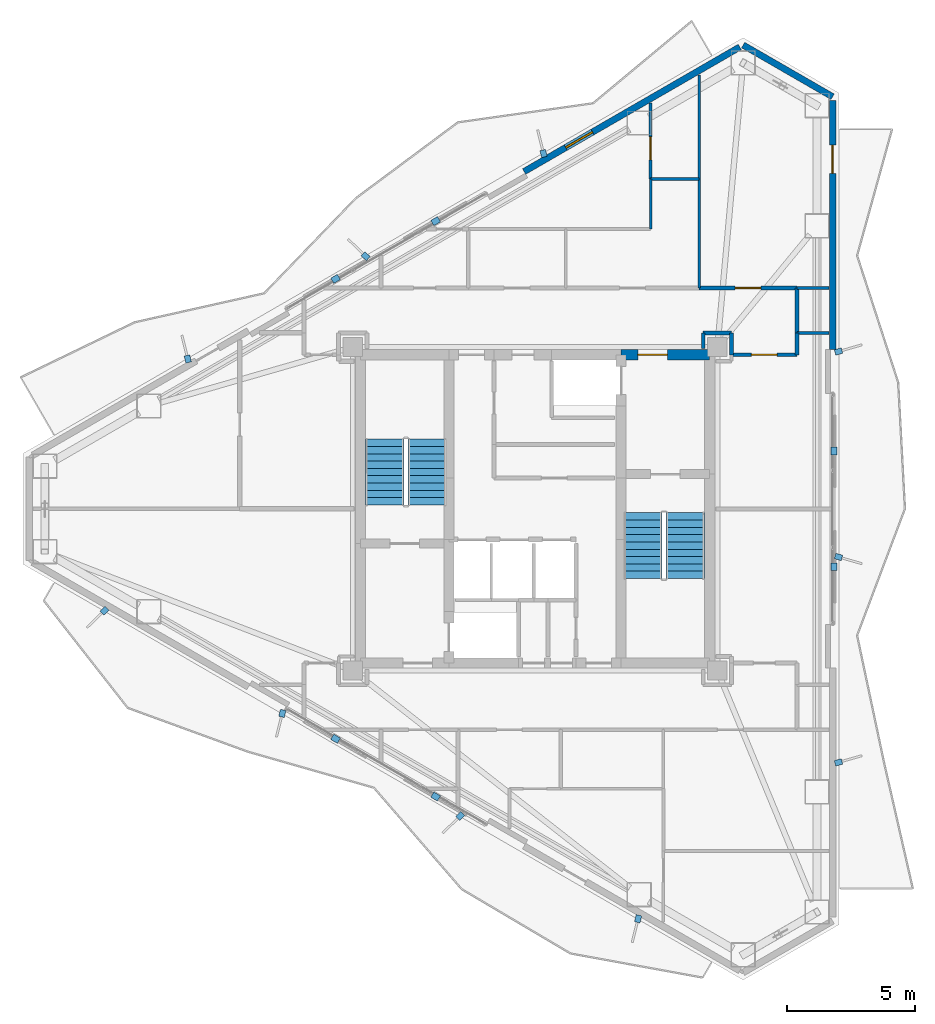
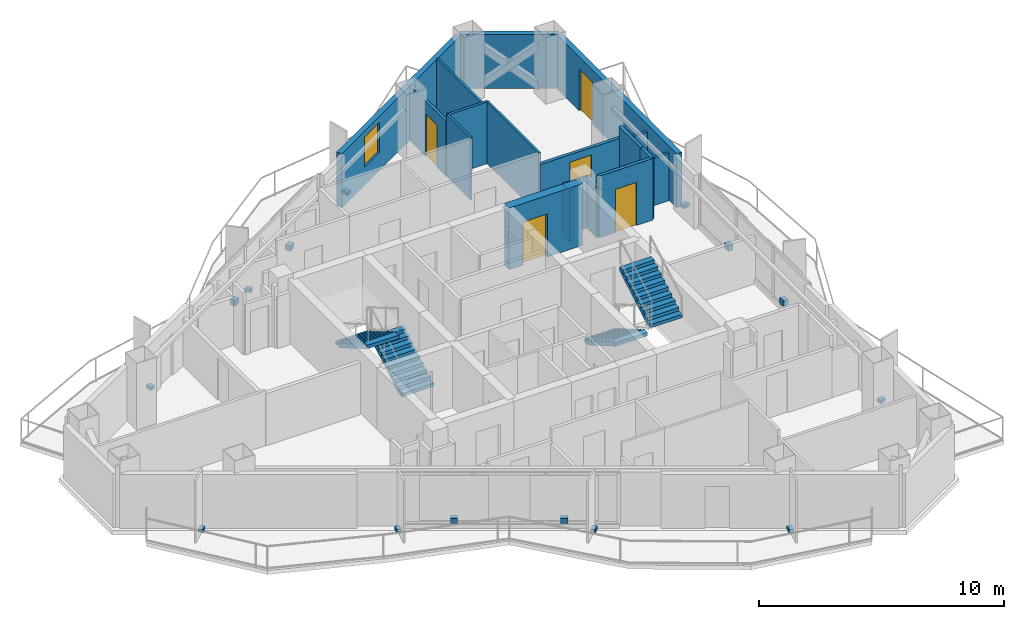
# One storey, part 19 of 21: 18 walls, 16 discrete accessories, 5 doors, 4 stair flights, 1 window, 6 openings, 2 elements without a shape of their own.
"""IFC4 building model written with IfcOpenShell, lengths in metres."""

from ifc_helpers import new_model, si_unit, direction, frame, frame_2d, origin, origin_2d, place, context, subcontext, project, spatial, polyline, rectangle, outline, extrude, material, layer, layer_set, type_object, element, fill, aggregate, save


model = new_model("IFC4")

# Units and contexts
model_context = context("Model", 3, precision=1e-05, world=origin(), true_north=direction((0.0, 1.0)))
body_context = subcontext(model_context, "Body", "Model", "MODEL_VIEW")
ifc_project = project(units=[si_unit("LENGTHUNIT", "METRE"), si_unit("AREAUNIT", "SQUARE_METRE"), si_unit("VOLUMEUNIT", "CUBIC_METRE"), si_unit("PLANEANGLEUNIT", "RADIAN"), si_unit("MASSUNIT", "GRAM", prefix="KILO")], contexts=[model_context])

# Site, building, storey
site_placement = place(None, origin())
site = spatial("IfcSite", under=ifc_project, at=site_placement, CompositionType="ELEMENT")
building_placement = place(site_placement, origin())
building = spatial("IfcBuilding", under=site, at=building_placement, Name="Mersakhor Tower and Convention Hall", CompositionType="ELEMENT")
storey_placement = place(building_placement, frame((0.0, 0.0, 178.800048828125)))
storey = spatial("IfcBuildingStorey", under=building, at=storey_placement, Name="L49", CompositionType="ELEMENT", Elevation=178.800048828125)

# Wall
ifc_material_1 = material(Name="Precast concrete C40/50", Category="concrete")
ifc_layer_1 = layer(ifc_material_1, 0.25)
ifc_layer_set_1 = layer_set([ifc_layer_1], Name="Precast concrete C40/50")
wall_type_1 = type_object("IfcWallType", Name="WL-EXT-250", PredefinedType="SOLIDWALL", material=ifc_layer_set_1)
wall_1_placement = place(storey_placement, frame((37.10400390625, 44.81005859375, 0.0), z_axis=(0.0, 0.0, 1.0), x_axis=(0.866023907196, -0.500002592159, 0.0)))
element("IfcWall", 1, at=wall_1_placement, inside=storey, type_object=wall_type_1, Name="L49 Chamfer Braced Spandrel Wall C1", PredefinedType="SOLIDWALL", context=body_context, shape_type="SweptSolid", body=[
    extrude(rectangle(XDim=4.0234375, YDim=0.25, at=frame_2d((2.01171875, 0.0))), origin(), (0.0, 0.0, 1.0), 2.68994140625),
])

# Wall, opening, window
wall_2_placement = place(storey_placement, frame((28.57470703125, 39.885498046875, 0.0), z_axis=(0.0, 0.0, 1.0), x_axis=(0.866016233231, 0.500015883528, 0.0)))
wall_2 = element("IfcWall", 2, at=wall_2_placement, inside=storey, type_object=wall_type_1, Name="L49 Exterior Facade Wall F1-B3", PredefinedType="SOLIDWALL", context=body_context, shape_type="SweptSolid", body=[
    extrude(rectangle(XDim=9.698974609375, YDim=0.25, at=frame_2d((4.849609375, 0.0))), origin(), (0.0, 0.0, 1.0), 2.68994140625),
])
opening_1_placement = place(wall_2_placement, frame((1.8701171875, 0.0, 0.89990234375)))
opening_1 = element("IfcOpeningElement", 3, at=opening_1_placement, cuts=wall_2, Name="Opening W-01", PredefinedType="OPENING", context=body_context, shape_type="SweptSolid", body=[
    extrude(rectangle(XDim=1.199951171875, YDim=1.5, at=frame_2d((0.60009765625, 0.75))), frame((0.0, 0.135009765625, 0.0), z_axis=(0.0, -1.0, 0.0), x_axis=(1.0, 0.0, 0.0)), (0.0, 0.0, 1.0), 0.27001953125),
])
ifc_material_2 = material(Name="Dark solar low-E glazed aluminium window", Category="aluminium")
window_type = type_object("IfcWindowType", Name="WN-RES-120x150", PartitioningType="SINGLE_PANEL", PredefinedType="WINDOW", material=ifc_material_2)
window_placement = place(opening_1_placement, origin())
window = element("IfcWindow", 4, at=window_placement, inside=storey, type_object=window_type, Name="L49 Facade Punched Window F1-B3", OverallHeight=1.5, OverallWidth=1.199951171875, PartitioningType="SINGLE_PANEL", PredefinedType="WINDOW", context=body_context, shape_type="SweptSolid", body=[
    extrude(rectangle(XDim=1.199951171875, YDim=1.5, at=frame_2d((0.60009765625, 0.75))), frame((0.0, 0.030029296875, 0.0), z_axis=(0.0, -1.0, 0.0), x_axis=(1.0, 0.0, 0.0)), (0.0, 0.0, 1.0), 0.06005859375),
])
fill(opening_1, window)

# Wall, opening, door
wall_3_placement = place(storey_placement, frame((40.58837890625, 42.6484375, 0.0), z_axis=(0.0, 0.0, 1.0), x_axis=(0.0, -1.0, 0.0)))
wall_3 = element("IfcWall", 5, at=wall_3_placement, inside=storey, type_object=wall_type_1, Name="L49 Exterior Facade Wall F2-B1", PredefinedType="SOLIDWALL", context=body_context, shape_type="SweptSolid", body=[
    extrude(rectangle(XDim=9.698974609375, YDim=0.25, at=frame_2d((4.849609375, 0.0))), origin(), (0.0, 0.0, 1.0), 2.68994140625),
])
opening_2_placement = place(wall_3_placement, frame((1.72998046875, 0.0, 0.0)))
opening_2 = element("IfcOpeningElement", 6, at=opening_2_placement, cuts=wall_3, Name="Opening BD-02", PredefinedType="OPENING", context=body_context, shape_type="SweptSolid", body=[
    extrude(rectangle(XDim=1.10009765625, YDim=2.10009765625, at=frame_2d((0.550048828125, 1.050048828125))), frame((0.0, 0.135009765625, 0.0), z_axis=(0.0, -1.0, 0.0), x_axis=(1.0, 0.0, 0.0)), (0.0, 0.0, 1.0), 0.27001953125),
])
ifc_material_3 = material(Name="Thermally broken dark aluminium and safety glass", Category="aluminium")
door_type_1 = type_object("IfcDoorType", Name="DR-BAL-110x210", OperationType="NOTDEFINED", PredefinedType="DOOR", material=ifc_material_3)
door_1_placement = place(opening_2_placement, origin())
door_1 = element("IfcDoor", 7, at=door_1_placement, inside=storey, type_object=door_type_1, Name="L49 Balcony Terrace Door F2-B1", OperationType="SINGLE_SWING_RIGHT", OverallHeight=2.10009765625, OverallWidth=1.10009765625, PredefinedType="DOOR", context=body_context, shape_type="SweptSolid", body=[
    extrude(rectangle(XDim=1.10009765625, YDim=2.10009765625, at=frame_2d((0.550048828125, 1.050048828125))), frame((0.0, 0.02490234375, 0.0), z_axis=(0.0, -1.0, 0.0), x_axis=(1.0, 0.0, 0.0)), (0.0, 0.0, 1.0), 0.050048828125),
])
fill(opening_2, door_1)

# Walls
ifc_material_4 = material(Name="Lightweight gypsum partition", Category="other")
ifc_layer_2 = layer(ifc_material_4, 0.10009765625)
ifc_layer_set_2 = layer_set([ifc_layer_2], Name="Lightweight gypsum partition")
wall_type_2 = type_object("IfcWallType", Name="WL-PRT-100", PredefinedType="PARTITIONING", material=ifc_layer_set_2)
wall_4_placement = place(storey_placement, frame((33.5, 39.590087890625, 0.0), z_axis=(0.0, 0.0, 1.0), x_axis=(0.0, -1.0, 0.0)))
element("IfcWall", 8, at=wall_4_placement, inside=storey, type_object=wall_type_2, Name="L49 Interior Partition Wall P-076", PredefinedType="PARTITIONING", context=body_context, shape_type="SweptSolid", body=[
    extrude(rectangle(XDim=1.940185546875, YDim=0.10009765625, at=frame_2d((0.97021484375, 0.0))), origin(), (0.0, 0.0, 1.0), 3.070068359375),
])
wall_5_placement = place(storey_placement, frame((35.389892578125, 39.590087890625, 0.0), z_axis=(0.0, 0.0, 1.0), x_axis=(0.0, -1.0, 0.0)))
element("IfcWall", 9, at=wall_5_placement, inside=storey, type_object=wall_type_2, Name="L49 Interior Partition Wall P-078", PredefinedType="PARTITIONING", context=body_context, shape_type="SweptSolid", body=[
    extrude(rectangle(XDim=4.239990234375, YDim=0.10009765625, at=frame_2d((2.1201171875, 0.0))), origin(), (0.0, 0.0, 1.0), 3.070068359375),
])
wall_6_placement = place(storey_placement, frame((35.389892578125, 43.648193359375, 0.0), z_axis=(0.0, 0.0, 1.0), x_axis=(0.0, -1.0, 0.0)))
element("IfcWall", 10, at=wall_6_placement, inside=storey, type_object=wall_type_2, Name="L49 Interior Partition Wall P-080", PredefinedType="PARTITIONING", context=body_context, shape_type="SweptSolid", body=[
    extrude(rectangle(XDim=4.05810546875, YDim=0.10009765625, at=frame_2d((2.029052734375, 0.0))), origin(), (0.0, 0.0, 1.0), 2.734375),
])
ifc_material_5 = material(Name="Gypsum board acoustic partition", Category="other")
ifc_layer_3 = layer(ifc_material_5, 0.125)
ifc_layer_set_3 = layer_set([ifc_layer_3], Name="Gypsum board acoustic partition")
wall_type_3 = type_object("IfcWallType", Name="WL-PRT-125", PredefinedType="PARTITIONING", material=ifc_layer_set_3)
wall_7_placement = place(storey_placement, frame((39.199951171875, 33.60009765625, 0.0), z_axis=(0.0, 0.0, 1.0), x_axis=(1.0, 0.0, 0.0)))
element("IfcWall", 11, at=wall_7_placement, inside=storey, type_object=wall_type_3, Name="L49 Interior Partition Wall P-065", PredefinedType="PARTITIONING", context=body_context, shape_type="SweptSolid", body=[
    extrude(rectangle(XDim=1.239501953125, YDim=0.125, at=frame_2d((0.61962890625, 0.0))), origin(), (0.0, 0.0, 1.0), 2.364990234375),
])

# Wall, opening, door
wall_8_placement = place(storey_placement, frame((33.5, 42.55712890625, 0.0), z_axis=(0.0, 0.0, 1.0), x_axis=(0.0, -1.0, 0.0)))
wall_8 = element("IfcWall", 12, at=wall_8_placement, inside=storey, type_object=wall_type_3, Name="L49 Interior Partition Wall P-075", PredefinedType="PARTITIONING", context=body_context, shape_type="SweptSolid", body=[
    extrude(rectangle(XDim=2.967041015625, YDim=0.125, at=frame_2d((1.4833984375, 0.0))), origin(), (0.0, 0.0, 1.0), 2.734375),
])
opening_3_placement = place(wall_8_placement, frame((1.319580078125, 0.0, 0.0)))
opening_3 = element("IfcOpeningElement", 13, at=opening_3_placement, cuts=wall_8, Name="Opening WD-01", PredefinedType="OPENING", context=body_context, shape_type="SweptSolid", body=[
    extrude(rectangle(XDim=0.89990234375, YDim=2.10009765625, at=frame_2d((0.449951171875, 1.050048828125))), frame((0.0, 0.072509765625, 0.0), z_axis=(0.0, -1.0, 0.0), x_axis=(1.0, 0.0, 0.0)), (0.0, 0.0, 1.0), 0.14501953125),
])
ifc_material_6 = material(Name="Solid-core hardwood leaf in painted steel frame", Category="steel")
door_type_2 = type_object("IfcDoorType", Name="DR-INT-WET-090x210", OperationType="NOTDEFINED", PredefinedType="DOOR", material=ifc_material_6)
door_2_placement = place(opening_3_placement, origin())
door_2 = element("IfcDoor", 14, at=door_2_placement, inside=storey, type_object=door_type_2, Name="L49 L49 Floor Residents Study Room 1-3 to L49 Floor Residents Study Room 1-5 Door", OperationType="SINGLE_SWING_LEFT", OverallHeight=2.10009765625, OverallWidth=0.89990234375, PredefinedType="DOOR", context=body_context, shape_type="SweptSolid", body=[
    extrude(rectangle(XDim=0.89990234375, YDim=2.10009765625, at=frame_2d((0.449951171875, 1.050048828125))), frame((0.0, 0.02490234375, 0.0), z_axis=(0.0, -1.0, 0.0), x_axis=(1.0, 0.0, 0.0)), (0.0, 0.0, 1.0), 0.050048828125),
])
fill(opening_3, door_2)

# Walls
wall_9_placement = place(storey_placement, frame((33.5, 39.590087890625, 0.0), z_axis=(0.0, 0.0, 1.0), x_axis=(1.0, 0.0, 0.0)))
element("IfcWall", 15, at=wall_9_placement, inside=storey, type_object=wall_type_3, Name="L49 Interior Partition Wall P-079", PredefinedType="PARTITIONING", context=body_context, shape_type="SweptSolid", body=[
    extrude(rectangle(XDim=1.889892578125, YDim=0.125, at=frame_2d((0.94482421875, 0.0))), origin(), (0.0, 0.0, 1.0), 3.070068359375),
])
wall_10_placement = place(storey_placement, frame((40.439453125, 35.35009765625, 0.0), z_axis=(0.0, 0.0, 1.0), x_axis=(-1.0, 0.0, 0.0)))
element("IfcWall", 16, at=wall_10_placement, inside=storey, type_object=wall_type_3, Name="L49 Interior Partition Wall P-081", PredefinedType="PARTITIONING", context=body_context, shape_type="SweptSolid", body=[
    extrude(rectangle(XDim=1.239501953125, YDim=0.125, at=frame_2d((0.61962890625, 0.0))), origin(), (0.0, 0.0, 1.0), 2.364990234375),
])
ifc_material_7 = material(Name="Fire-rated gypsum board stud partition", Category="other")
ifc_layer_4 = layer(ifc_material_7, 0.14990234375)
ifc_layer_set_4 = layer_set([ifc_layer_4], Name="Fire-rated gypsum board stud partition")
wall_type_4 = type_object("IfcWallType", Name="WL-PRT-150", PredefinedType="PARTITIONING", material=ifc_layer_set_4)
wall_11_placement = place(storey_placement, frame((39.199951171875, 35.35009765625, 0.0), z_axis=(0.0, 0.0, 1.0), x_axis=(0.0, -1.0, 0.0)))
element("IfcWall", 17, at=wall_11_placement, inside=storey, type_object=wall_type_4, Name="L49 Interior Partition Wall P-016", PredefinedType="PARTITIONING", context=body_context, shape_type="SweptSolid", body=[
    extrude(rectangle(XDim=1.75, YDim=0.14990234375, at=frame_2d((0.875, 0.0))), origin(), (0.0, 0.0, 1.0), 3.070068359375),
])
wall_12_placement = place(storey_placement, frame((39.199951171875, 33.60009765625, 0.0), z_axis=(0.0, 0.0, 1.0), x_axis=(0.0, -1.0, 0.0)))
element("IfcWall", 18, at=wall_12_placement, inside=storey, type_object=wall_type_4, Name="L49 Interior Partition Wall P-017", PredefinedType="PARTITIONING", context=body_context, shape_type="SweptSolid", body=[
    extrude(rectangle(XDim=0.85009765625, YDim=0.14990234375, at=frame_2d((0.425048828125, 0.0))), origin(), (0.0, 0.0, 1.0), 3.070068359375),
])

# Wall, opening, door
wall_13_placement = place(storey_placement, frame((39.199951171875, 32.75, 0.0), z_axis=(0.0, 0.0, 1.0), x_axis=(-1.0, 0.0, 0.0)))
wall_13 = element("IfcWall", 19, at=wall_13_placement, inside=storey, type_object=wall_type_4, Name="L49 Interior Partition Wall P-018", PredefinedType="PARTITIONING", context=body_context, shape_type="SweptSolid", body=[
    extrude(rectangle(XDim=2.550048828125, YDim=0.14990234375, at=frame_2d((1.27490234375, 0.0))), origin(), (0.0, 0.0, 1.0), 3.070068359375),
])
opening_4_placement = place(wall_13_placement, frame((0.77490234375, 0.0, 0.0)))
opening_4 = element("IfcOpeningElement", 20, at=opening_4_placement, cuts=wall_13, Name="Opening FD-01", PredefinedType="OPENING", context=body_context, shape_type="SweptSolid", body=[
    extrude(rectangle(XDim=1.0, YDim=2.14990234375, at=frame_2d((0.5, 1.074951171875))), frame((0.0, 0.0849609375, 0.0), z_axis=(0.0, -1.0, 0.0), x_axis=(1.0, 0.0, 0.0)), (0.0, 0.0, 1.0), 0.169921875),
])
ifc_material_8 = material(Name="Fire-rated hardwood leaf and painted steel frame", Category="steel")
door_type_3 = type_object("IfcDoorType", Name="DR-INT-FLT-100x215", OperationType="NOTDEFINED", PredefinedType="DOOR", material=ifc_material_8)
door_3_placement = place(opening_4_placement, origin())
door_3 = element("IfcDoor", 21, at=door_3_placement, inside=storey, type_object=door_type_3, Name="L49 Residential North Gallery Corridor to L49 East Wing Sky Study Lounge Door", OperationType="SINGLE_SWING_LEFT", OverallHeight=2.14990234375, OverallWidth=1.0, PredefinedType="DOOR", context=body_context, shape_type="SweptSolid", body=[
    extrude(rectangle(XDim=1.0, YDim=2.14990234375, at=frame_2d((0.5, 1.074951171875))), frame((0.0, 0.02490234375, 0.0), z_axis=(0.0, -1.0, 0.0), x_axis=(1.0, 0.0, 0.0)), (0.0, 0.0, 1.0), 0.050048828125),
])
fill(opening_4, door_3)

# Walls
wall_14_placement = place(storey_placement, frame((36.64990234375, 32.75, 0.0), z_axis=(0.0, 0.0, 1.0), x_axis=(0.0, 1.0, 0.0)))
element("IfcWall", 22, at=wall_14_placement, inside=storey, type_object=wall_type_4, Name="L49 Interior Partition Wall P-019", PredefinedType="PARTITIONING", context=body_context, shape_type="SweptSolid", body=[
    extrude(rectangle(XDim=0.85009765625, YDim=0.14990234375, at=frame_2d((0.425048828125, 0.0))), origin(), (0.0, 0.0, 1.0), 2.518310546875),
])
wall_15_placement = place(storey_placement, frame((36.64990234375, 33.60009765625, 0.0), z_axis=(0.0, 0.0, 1.0), x_axis=(-1.0, 0.0, 0.0)))
element("IfcWall", 23, at=wall_15_placement, inside=storey, type_object=wall_type_4, Name="L49 Interior Partition Wall P-020", PredefinedType="PARTITIONING", context=body_context, shape_type="SweptSolid", body=[
    extrude(rectangle(XDim=1.099853515625, YDim=0.14990234375, at=frame_2d((0.5498046875, 0.0))), origin(), (0.0, 0.0, 1.0), 2.518310546875),
])
wall_16_placement = place(storey_placement, frame((35.550048828125, 33.60009765625, 0.0), z_axis=(0.0, 0.0, 1.0), x_axis=(0.0, -1.0, 0.0)))
element("IfcWall", 24, at=wall_16_placement, inside=storey, type_object=wall_type_4, Name="L49 Interior Partition Wall P-021", PredefinedType="PARTITIONING", context=body_context, shape_type="SweptSolid", body=[
    extrude(rectangle(XDim=0.60009765625, YDim=0.14990234375, at=frame_2d((0.300048828125, 0.0))), origin(), (0.0, 0.0, 1.0), 2.594970703125),
])

# Wall, opening, door
wall_17_placement = place(storey_placement, frame((35.389892578125, 35.35009765625, 0.0), z_axis=(0.0, 0.0, 1.0), x_axis=(1.0, 0.0, 0.0)))
wall_17 = element("IfcWall", 25, at=wall_17_placement, inside=storey, type_object=wall_type_4, Name="L49 Interior Partition Wall P-032", PredefinedType="PARTITIONING", context=body_context, shape_type="SweptSolid", body=[
    extrude(rectangle(XDim=3.81005859375, YDim=0.14990234375, at=frame_2d((1.905029296875, 0.0))), origin(), (0.0, 0.0, 1.0), 2.518310546875),
])
opening_5_placement = place(wall_17_placement, frame((1.405029296875, 0.0, 0.0)))
opening_5 = element("IfcOpeningElement", 26, at=opening_5_placement, cuts=wall_17, Name="Opening FD-01", PredefinedType="OPENING", context=body_context, shape_type="SweptSolid", body=[
    extrude(rectangle(XDim=1.0, YDim=2.14990234375, at=frame_2d((0.5, 1.074951171875))), frame((0.0, 0.0849609375, 0.0), z_axis=(0.0, -1.0, 0.0), x_axis=(1.0, 0.0, 0.0)), (0.0, 0.0, 1.0), 0.169921875),
])
door_4_placement = place(opening_5_placement, origin())
door_4 = element("IfcDoor", 27, at=door_4_placement, inside=storey, type_object=door_type_3, Name="L49 Residential North Gallery Corridor to L49 Floor Residents Study Room 1-6 Door", OperationType="SINGLE_SWING_LEFT", OverallHeight=2.14990234375, OverallWidth=1.0, PredefinedType="DOOR", context=body_context, shape_type="SweptSolid", body=[
    extrude(rectangle(XDim=1.0, YDim=2.14990234375, at=frame_2d((0.5, 1.074951171875))), frame((0.0, 0.02490234375, 0.0), z_axis=(0.0, -1.0, 0.0), x_axis=(1.0, 0.0, 0.0)), (0.0, 0.0, 1.0), 0.050048828125),
])
fill(opening_5, door_4)

ifc_material_9 = material(Name="Concrete C60/75", Category="concrete")
ifc_layer_5 = layer(ifc_material_9, 0.39990234375)
ifc_layer_set_5 = layer_set([ifc_layer_5], Name="Concrete C60/75")
wall_type_5 = type_object("IfcWallType", Name="WL-SHR-400", PredefinedType="SHEAR", material=ifc_layer_set_5)
wall_18_placement = place(storey_placement, frame((32.35009765625, 32.75, 0.0), z_axis=(0.0, 0.0, 1.0), x_axis=(1.0, 0.0, 0.0)))
wall_18 = element("IfcWall", 28, at=wall_18_placement, inside=storey, type_object=wall_type_5, Name="L49 Core Wall CW-N4", PredefinedType="SHEAR", context=body_context, shape_type="SweptSolid", body=[
    extrude(rectangle(XDim=3.449951171875, YDim=0.39990234375, at=frame_2d((1.72509765625, 0.0))), origin(), (0.0, 0.0, 1.0), 3.070068359375),
])
opening_6_placement = place(wall_18_placement, frame((0.64990234375, 0.0, 0.0)))
opening_6 = element("IfcOpeningElement", 29, at=opening_6_placement, cuts=wall_18, Name="Opening SD-01", PredefinedType="OPENING", context=body_context, shape_type="SweptSolid", body=[
    extrude(rectangle(XDim=1.14990234375, YDim=2.14990234375, at=frame_2d((0.574951171875, 1.074951171875))), frame((0.0, 0.2099609375, 0.0), z_axis=(0.0, -1.0, 0.0), x_axis=(1.0, 0.0, 0.0)), (0.0, 0.0, 1.0), 0.419921875),
])
ifc_material_10 = material(Name="Fire-rated hardwood leaf and painted steel frame", Category="steel")
door_type_4 = type_object("IfcDoorType", Name="DR-INT-STAIR-115x215", OperationType="NOTDEFINED", PredefinedType="DOOR", material=ifc_material_10)
door_5_placement = place(opening_6_placement, origin())
door_5 = element("IfcDoor", 30, at=door_5_placement, inside=storey, type_object=door_type_4, Name="L49 Firefighting Lobby East Fire Door", OperationType="SINGLE_SWING_RIGHT", OverallHeight=2.14990234375, OverallWidth=1.14990234375, PredefinedType="DOOR", context=body_context, shape_type="SweptSolid", body=[
    extrude(rectangle(XDim=1.14990234375, YDim=2.14990234375, at=frame_2d((0.574951171875, 1.074951171875))), frame((0.0, 0.02490234375, 0.0), z_axis=(0.0, -1.0, 0.0), x_axis=(1.0, 0.0, 0.0)), (0.0, 0.0, 1.0), 0.050048828125),
])
fill(opening_6, door_5)

# Stair, stair flights
ifc_material_11 = material(Name="Concrete C45/55", Category="concrete")
stair_type = type_object("IfcStairType", Name="ST-TWR-20R", PredefinedType="HALF_TURN_STAIR", material=ifc_material_11)
stair_1_placement = place(storey_placement, origin())
stair_1 = element("IfcStair", 31, at=stair_1_placement, inside=storey, type_object=stair_type, Name="L49 Tower Protected Exit Stair ST-1", PredefinedType="HALF_TURN_STAIR")
ifc_material_12 = material(Name="Concrete C45/55", Category="concrete")
stair_flight_type = type_object("IfcStairFlightType", Name="SFL-TWR-20R", PredefinedType="STRAIGHT", material=ifc_material_12)
stair_flight_1_placement = place(storey_placement, frame((24.800048828125, 26.89990234375, 0.0), z_axis=(0.0, 0.0, 1.0), x_axis=(0.0, 1.0, 0.0)))
stair_flight_1 = element("IfcStairFlight", 32, at=stair_flight_1_placement, type_object=stair_flight_type, Name="ST-1 flight 1", NumberOfRisers=10, NumberOfTreads=9, PredefinedType="STRAIGHT", RiserHeight=0.165, TreadLength=0.285, context=body_context, shape_type="SweptSolid", body=[
    extrude(outline(polyline([(0.0, 0.0), (0.0, 0.1650390625), (0.284912109375, 0.1650390625), (0.284912109375, 0.330078125), (0.570068359375, 0.330078125), (0.570068359375, 0.4951171875), (0.85498046875, 0.4951171875), (0.85498046875, 0.659912109375), (1.139892578125, 0.659912109375), (1.139892578125, 0.824951171875), (1.425048828125, 0.824951171875), (1.425048828125, 0.989990234375), (1.7099609375, 0.989990234375), (1.7099609375, 1.155029296875), (1.9951171875, 1.155029296875), (1.9951171875, 1.320068359375), (2.280029296875, 1.320068359375), (2.280029296875, 1.485107421875), (2.56494140625, 1.485107421875), (2.56494140625, 1.64990234375), (2.56494140625, 1.311767578125), (0.299072265625, 0.0), (0.0, 0.0)])), frame((0.0, 0.75, 0.0), z_axis=(0.0, -1.0, 0.0), x_axis=(1.0, 0.0, 0.0)), (0.0, 0.0, 1.0), 1.5),
])
stair_flight_2_placement = place(storey_placement, frame((23.14990234375, 29.465087890625, 1.64990234375), z_axis=(0.0, 0.0, 1.0), x_axis=(0.0, -1.0, 0.0)))
stair_flight_2 = element("IfcStairFlight", 33, at=stair_flight_2_placement, type_object=stair_flight_type, Name="ST-1 flight 2", NumberOfRisers=10, NumberOfTreads=9, PredefinedType="STRAIGHT", RiserHeight=0.165, TreadLength=0.285, context=body_context, shape_type="SweptSolid", body=[
    extrude(outline(polyline([(0.0, 0.0), (0.0, 0.1650390625), (0.284912109375, 0.1650390625), (0.284912109375, 0.330078125), (0.570068359375, 0.330078125), (0.570068359375, 0.4951171875), (0.85498046875, 0.4951171875), (0.85498046875, 0.659912109375), (1.139892578125, 0.659912109375), (1.139892578125, 0.824951171875), (1.425048828125, 0.824951171875), (1.425048828125, 0.989990234375), (1.7099609375, 0.989990234375), (1.7099609375, 1.155029296875), (1.9951171875, 1.155029296875), (1.9951171875, 1.320068359375), (2.280029296875, 1.320068359375), (2.280029296875, 1.485107421875), (2.56494140625, 1.485107421875), (2.56494140625, 1.64990234375), (2.56494140625, 1.311767578125), (0.299072265625, 0.0), (0.0, 0.0)])), frame((0.0, 0.75, 0.0), z_axis=(0.0, -1.0, 0.0), x_axis=(1.0, 0.0, 0.0)), (0.0, 0.0, 1.0), 1.5),
])
aggregate(stair_1, [stair_flight_1, stair_flight_2])

stair_2_placement = place(storey_placement, origin())
stair_2 = element("IfcStair", 34, at=stair_2_placement, inside=storey, type_object=stair_type, Name="L49 Tower Protected Exit Stair ST-2", PredefinedType="HALF_TURN_STAIR")
stair_flight_3_placement = place(storey_placement, frame((33.199951171875, 26.60009765625, 0.0), z_axis=(0.0, 0.0, 1.0), x_axis=(0.0, -1.0, 0.0)))
stair_flight_3 = element("IfcStairFlight", 35, at=stair_flight_3_placement, type_object=stair_flight_type, Name="ST-2 flight 1", NumberOfRisers=10, NumberOfTreads=9, PredefinedType="STRAIGHT", RiserHeight=0.165, TreadLength=0.285, context=body_context, shape_type="SweptSolid", body=[
    extrude(outline(polyline([(0.0, 0.0), (0.0, 0.1650390625), (0.284912109375, 0.1650390625), (0.284912109375, 0.330078125), (0.570068359375, 0.330078125), (0.570068359375, 0.4951171875), (0.85498046875, 0.4951171875), (0.85498046875, 0.659912109375), (1.139892578125, 0.659912109375), (1.139892578125, 0.824951171875), (1.425048828125, 0.824951171875), (1.425048828125, 0.989990234375), (1.7099609375, 0.989990234375), (1.7099609375, 1.155029296875), (1.9951171875, 1.155029296875), (1.9951171875, 1.320068359375), (2.280029296875, 1.320068359375), (2.280029296875, 1.485107421875), (2.56494140625, 1.485107421875), (2.56494140625, 1.64990234375), (2.56494140625, 1.311767578125), (0.299072265625, 0.0), (0.0, 0.0)])), frame((0.0, 0.75, 0.0), z_axis=(0.0, -1.0, 0.0), x_axis=(1.0, 0.0, 0.0)), (0.0, 0.0, 1.0), 1.5),
])
stair_flight_4_placement = place(storey_placement, frame((34.85009765625, 24.034912109375, 1.64990234375), z_axis=(0.0, 0.0, 1.0), x_axis=(0.0, 1.0, 0.0)))
stair_flight_4 = element("IfcStairFlight", 36, at=stair_flight_4_placement, type_object=stair_flight_type, Name="ST-2 flight 2", NumberOfRisers=10, NumberOfTreads=9, PredefinedType="STRAIGHT", RiserHeight=0.165, TreadLength=0.285, context=body_context, shape_type="SweptSolid", body=[
    extrude(outline(polyline([(0.0, 0.0), (0.0, 0.1650390625), (0.284912109375, 0.1650390625), (0.284912109375, 0.330078125), (0.570068359375, 0.330078125), (0.570068359375, 0.4951171875), (0.85498046875, 0.4951171875), (0.85498046875, 0.659912109375), (1.139892578125, 0.659912109375), (1.139892578125, 0.824951171875), (1.425048828125, 0.824951171875), (1.425048828125, 0.989990234375), (1.7099609375, 0.989990234375), (1.7099609375, 1.155029296875), (1.9951171875, 1.155029296875), (1.9951171875, 1.320068359375), (2.280029296875, 1.320068359375), (2.280029296875, 1.485107421875), (2.56494140625, 1.485107421875), (2.56494140625, 1.64990234375), (2.56494140625, 1.311767578125), (0.299072265625, 0.0), (0.0, 0.0)])), frame((0.0, 0.75, 0.0), z_axis=(0.0, -1.0, 0.0), x_axis=(1.0, 0.0, 0.0)), (0.0, 0.0, 1.0), 1.5),
])
aggregate(stair_2, [stair_flight_3, stair_flight_4])

# Discrete accessories
ifc_material_13 = material(Name="Galvanised steel bracket", Category="steel")
ifc_layer_6 = layer(ifc_material_13, 0.02001953125)
ifc_layer_set_6 = layer_set([ifc_layer_6], Name="Galvanised steel bracket")
discrete_accessory_type = type_object("IfcDiscreteAccessoryType", Name="ACC-BRK-STL", PredefinedType="BRACKET", material=ifc_layer_set_6)
for number, where, z_axis, x_axis, name in (
    (37, (21.232421875, 35.704345703125, 0.2900390625), (0.0, 0.0, 1.0), (0.866025403784, 0.5, 0.0), "L49 Solar Screen Outrigger Bracket BRK-1-1"),
    (38, (25.129150390625, 37.9541015625, 0.2900390625), (0.0, 0.0, 1.0), (0.866025403784, 0.5, 0.0), "L49 Solar Screen Outrigger Bracket BRK-1-2"),
):
    element("IfcDiscreteAccessory", number, at=place(storey_placement, frame(where, z_axis=z_axis, x_axis=x_axis)), inside=storey, type_object=discrete_accessory_type, Name=name, PredefinedType="BRACKET", context=body_context, shape_type="SweptSolid", body=[
        extrude(rectangle(XDim=0.300048828125, YDim=0.239990234375, at=origin_2d()), origin(), (0.0, 0.0, 1.0), 0.260009765625),
    ])
for number, where, z_axis, x_axis, name in (
    (39, (15.47607421875, 32.588623046875, -0.02001953125), (0.0, 0.0, 1.0), (-0.2419218956, 0.970295726276, 0.0), "L49 Facade Fin Base Cleat Bracket FBRK-1-1"),
    (40, (22.404296875, 36.588623046875, -0.02001953125), (0.0, 0.0, 1.0), (-0.719339800339, 0.694658370459, 0.0), "L49 Facade Fin Base Cleat Bracket FBRK-1-2"),
    (41, (29.33251953125, 40.588623046875, -0.02001953125), (0.0, 0.0, 1.0), (-0.2419218956, 0.970295726276, 0.0), "L49 Facade Fin Base Cleat Bracket FBRK-1-3"),
):
    element("IfcDiscreteAccessory", number, at=place(storey_placement, frame(where, z_axis=z_axis, x_axis=x_axis)), inside=storey, type_object=discrete_accessory_type, Name=name, PredefinedType="BRACKET", context=body_context, shape_type="SweptSolid", body=[
        extrude(rectangle(XDim=0.280029296875, YDim=0.219970703125, at=origin_2d()), origin(), (0.0, 0.0, 1.0), 0.159912109375),
    ])
for number, where, z_axis, x_axis, name in (
    (42, (40.638427734375, 28.999755859375, 0.2900390625), (0.0, 0.0, 1.0), (0.0, -1.0, 0.0), "L49 Solar Screen Outrigger Bracket BRK-2-1"),
    (43, (40.638427734375, 24.500244140625, 0.2900390625), (0.0, 0.0, 1.0), (0.0, -1.0, 0.0), "L49 Solar Screen Outrigger Bracket BRK-2-2"),
):
    element("IfcDiscreteAccessory", number, at=place(storey_placement, frame(where, z_axis=z_axis, x_axis=x_axis)), inside=storey, type_object=discrete_accessory_type, Name=name, PredefinedType="BRACKET", context=body_context, shape_type="SweptSolid", body=[
        extrude(rectangle(XDim=0.300048828125, YDim=0.239990234375, at=origin_2d()), origin(), (0.0, 0.0, 1.0), 0.260009765625),
    ])
for number, where, z_axis, x_axis, name in (
    (44, (40.818359375, 32.8759765625, -0.02001953125), (0.0, 0.0, 1.0), (0.961261695938, 0.275637355817, 0.0), "L49 Facade Fin Base Cleat Bracket FBRK-2-1"),
    (45, (40.818359375, 24.8759765625, -0.02001953125), (0.0, 0.0, 1.0), (0.961261695938, -0.275637355817, 0.0), "L49 Facade Fin Base Cleat Bracket FBRK-2-2"),
    (46, (40.818359375, 16.8759765625, -0.02001953125), (0.0, 0.0, 1.0), (0.961261695938, 0.275637355817, 0.0), "L49 Facade Fin Base Cleat Bracket FBRK-2-3"),
):
    element("IfcDiscreteAccessory", number, at=place(storey_placement, frame(where, z_axis=z_axis, x_axis=x_axis)), inside=storey, type_object=discrete_accessory_type, Name=name, PredefinedType="BRACKET", context=body_context, shape_type="SweptSolid", body=[
        extrude(rectangle(XDim=0.280029296875, YDim=0.219970703125, at=origin_2d()), origin(), (0.0, 0.0, 1.0), 0.159912109375),
    ])
for number, where, z_axis, x_axis, name in (
    (47, (25.129150390625, 15.5458984375, 0.2900390625), (0.0, 0.0, 1.0), (-0.866025403784, 0.5, 0.0), "L49 Solar Screen Outrigger Bracket BRK-3-1"),
    (48, (21.232421875, 17.795654296875, 0.2900390625), (0.0, 0.0, 1.0), (-0.866025403784, 0.5, 0.0), "L49 Solar Screen Outrigger Bracket BRK-3-2"),
):
    element("IfcDiscreteAccessory", number, at=place(storey_placement, frame(where, z_axis=z_axis, x_axis=x_axis)), inside=storey, type_object=discrete_accessory_type, Name=name, PredefinedType="BRACKET", context=body_context, shape_type="SweptSolid", body=[
        extrude(rectangle(XDim=0.300048828125, YDim=0.239990234375, at=origin_2d()), origin(), (0.0, 0.0, 1.0), 0.260009765625),
    ])
for number, where, z_axis, x_axis, name in (
    (49, (33.014892578125, 10.785400390625, -0.02001953125), (0.0, 0.0, 1.0), (-0.2419218956, -0.970295726276, 0.0), "L49 Facade Fin Base Cleat Bracket FBRK-3-1"),
    (50, (26.086669921875, 14.785400390625, -0.02001953125), (0.0, 0.0, 1.0), (-0.719339800339, -0.694658370459, 0.0), "L49 Facade Fin Base Cleat Bracket FBRK-3-2"),
    (51, (19.158447265625, 18.785400390625, -0.02001953125), (0.0, 0.0, 1.0), (-0.2419218956, -0.970295726276, 0.0), "L49 Facade Fin Base Cleat Bracket FBRK-3-3"),
    (52, (12.230224609375, 22.785400390625, -0.02001953125), (0.0, 0.0, 1.0), (-0.719339800339, -0.694658370459, 0.0), "L49 Facade Fin Base Cleat Bracket FBRK-3-4"),
):
    element("IfcDiscreteAccessory", number, at=place(storey_placement, frame(where, z_axis=z_axis, x_axis=x_axis)), inside=storey, type_object=discrete_accessory_type, Name=name, PredefinedType="BRACKET", context=body_context, shape_type="SweptSolid", body=[
        extrude(rectangle(XDim=0.280029296875, YDim=0.219970703125, at=origin_2d()), origin(), (0.0, 0.0, 1.0), 0.159912109375),
    ])

save(model, "model.ifc")
